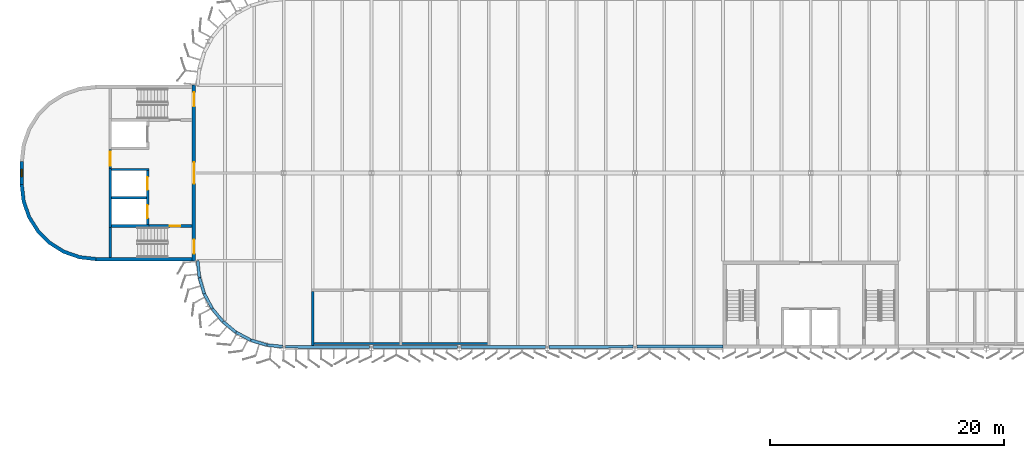
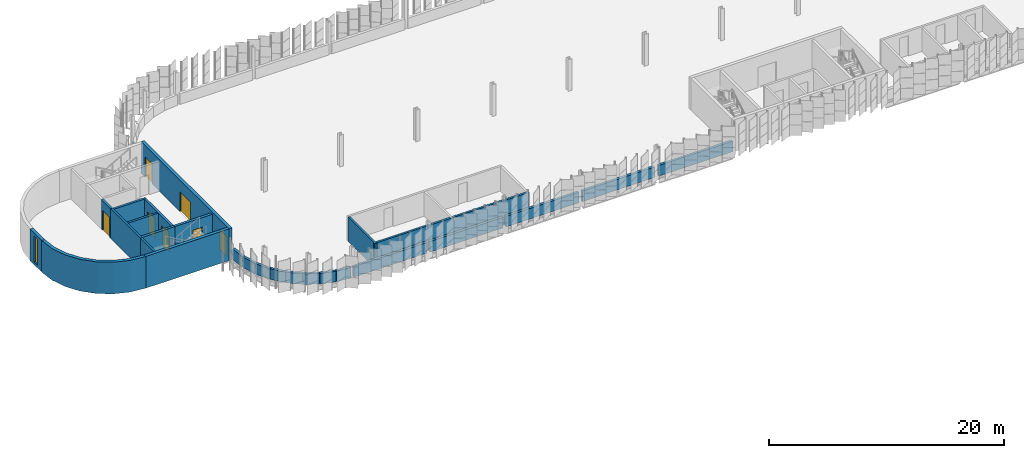
# One storey, part 68 of 214: 27 walls, 7 doors, 1 window, 8 openings.
"""IFC4 building model written with IfcOpenShell, lengths in metres."""

from ifc_helpers import new_model, si_unit, direction, frame, frame_2d, origin, place, context, subcontext, project, spatial, polyline, rectangle, outline, extrude, material, layer, layer_set, type_object, element, fill, save


model = new_model("IFC4")

# Units and contexts
model_context = context("Model", 3, precision=1e-05, world=origin(), true_north=direction((0.0, 1.0)))
body_context = subcontext(model_context, "Body", "Model", "MODEL_VIEW")
ifc_project = project(units=[si_unit("LENGTHUNIT", "METRE"), si_unit("AREAUNIT", "SQUARE_METRE"), si_unit("VOLUMEUNIT", "CUBIC_METRE"), si_unit("PLANEANGLEUNIT", "RADIAN"), si_unit("MASSUNIT", "GRAM", prefix="KILO")], contexts=[model_context])

# Site, building, storey
site_placement = place(None, origin())
site = spatial("IfcSite", under=ifc_project, at=site_placement, CompositionType="ELEMENT")
building_placement = place(site_placement, origin())
building = spatial("IfcBuilding", under=site, at=building_placement, Name="Parallax Yard Mobility Hub", CompositionType="ELEMENT")
storey_placement = place(building_placement, frame((0.0, 0.0, 3.300048828125)))
storey = spatial("IfcBuildingStorey", under=building, at=storey_placement, Name="L01", CompositionType="ELEMENT", Elevation=3.300048828125)

# Wall, openings, doors
ifc_material_1 = material(Name="Concrete fc' 35 MPa", Category="concrete")
ifc_layer_1 = layer(ifc_material_1, 0.300048828125)
ifc_layer_set_1 = layer_set([ifc_layer_1], Name="Concrete fc' 35 MPa core wall 300")
wall_type_1 = type_object("IfcWallType", Name="Concrete fc' 35 MPa core wall 300", PredefinedType="SHEAR", material=ifc_layer_set_1)
wall_1_placement = place(storey_placement, frame((22.35009765625, 135.0, 0.0), z_axis=(0.0, 0.0, 1.0), x_axis=(0.0, -1.0, 0.0)))
wall_1 = element("IfcWall", 1, at=wall_1_placement, inside=storey, type_object=wall_type_1, Name="Core C-W entry wall level L01", PredefinedType="SHEAR", context=body_context, shape_type="SweptSolid", body=[
    extrude(rectangle(XDim=15.0, YDim=0.300048828125, at=frame_2d((7.5, 0.0))), origin(), (0.0, 0.0, 1.0), 3.300048828125),
])
opening_1_placement = place(wall_1_placement, frame((13.179931640625, 0.0, 0.0)))
opening_1 = element("IfcOpeningElement", 2, at=opening_1_placement, cuts=wall_1, Name="Opening L01-D700", PredefinedType="OPENING", context=body_context, shape_type="SweptSolid", body=[
    extrude(rectangle(XDim=1.199951171875, YDim=2.10009765625, at=frame_2d((0.60009765625, 1.050048828125))), frame((0.0, 0.16015625, 0.0), z_axis=(0.0, -1.0, 0.0), x_axis=(1.0, 0.0, 0.0)), (0.0, 0.0, 1.0), 0.320068359375),
])
opening_2_placement = place(wall_1_placement, frame((0.6201171875, 0.0, 0.0)))
opening_2 = element("IfcOpeningElement", 3, at=opening_2_placement, cuts=wall_1, Name="Opening L01-D701", PredefinedType="OPENING", context=body_context, shape_type="SweptSolid", body=[
    extrude(rectangle(XDim=1.199951171875, YDim=2.10009765625, at=frame_2d((0.60009765625, 1.050048828125))), frame((0.0, 0.16015625, 0.0), z_axis=(0.0, -1.0, 0.0), x_axis=(1.0, 0.0, 0.0)), (0.0, 0.0, 1.0), 0.320068359375),
])
opening_3_placement = place(wall_1_placement, frame((6.60009765625, 0.0, 0.0)))
opening_3 = element("IfcOpeningElement", 4, at=opening_3_placement, cuts=wall_1, Name="Opening L01-D702", PredefinedType="OPENING", context=body_context, shape_type="SweptSolid", body=[
    extrude(rectangle(XDim=1.800048828125, YDim=2.10009765625, at=frame_2d((0.89990234375, 1.050048828125))), frame((0.0, 0.16015625, 0.0), z_axis=(0.0, -1.0, 0.0), x_axis=(1.0, 0.0, 0.0)), (0.0, 0.0, 1.0), 0.320068359375),
])
ifc_material_2 = material(Name="Hollow metal steel door and frame", Category="steel")
door_type_1 = type_object("IfcDoorType", Name="Core door 1200 x 2100 FD90", OperationType="NOTDEFINED", PredefinedType="DOOR", material=ifc_material_2)
door_1_placement = place(opening_1_placement, origin())
door_1 = element("IfcDoor", 5, at=door_1_placement, inside=storey, type_object=door_type_1, Name="Stair deck door L01-D700, core C-W level L01", OperationType="SINGLE_SWING_RIGHT", OverallHeight=2.10009765625, OverallWidth=1.199951171875, PredefinedType="DOOR", context=body_context, shape_type="SweptSolid", body=[
    extrude(rectangle(XDim=1.199951171875, YDim=2.10009765625, at=frame_2d((0.60009765625, 1.050048828125))), frame((0.0, 0.02490234375, 0.0), z_axis=(0.0, -1.0, 0.0), x_axis=(1.0, 0.0, 0.0)), (0.0, 0.0, 1.0), 0.050048828125),
])
fill(opening_1, door_1)
door_2_placement = place(opening_2_placement, origin())
door_2 = element("IfcDoor", 6, at=door_2_placement, inside=storey, type_object=door_type_1, Name="Stair deck door L01-D701, core C-W level L01", OperationType="SINGLE_SWING_LEFT", OverallHeight=2.10009765625, OverallWidth=1.199951171875, PredefinedType="DOOR", context=body_context, shape_type="SweptSolid", body=[
    extrude(rectangle(XDim=1.199951171875, YDim=2.10009765625, at=frame_2d((0.60009765625, 1.050048828125))), frame((0.0, 0.02490234375, 0.0), z_axis=(0.0, -1.0, 0.0), x_axis=(1.0, 0.0, 0.0)), (0.0, 0.0, 1.0), 0.050048828125),
])
fill(opening_2, door_2)
door_type_2 = type_object("IfcDoorType", Name="Core double door 1800 x 2100 FD90", OperationType="NOTDEFINED", PredefinedType="DOOR", material=ifc_material_2)
door_3_placement = place(opening_3_placement, origin())
door_3 = element("IfcDoor", 7, at=door_3_placement, inside=storey, type_object=door_type_2, Name="Lift lobby door L01-D702, core C-W level L01", OperationType="DOUBLE_DOOR_SINGLE_SWING", OverallHeight=2.10009765625, OverallWidth=1.800048828125, PredefinedType="DOOR", context=body_context, shape_type="SweptSolid", body=[
    extrude(rectangle(XDim=1.800048828125, YDim=2.10009765625, at=frame_2d((0.89990234375, 1.050048828125))), frame((0.0, 0.02490234375, 0.0), z_axis=(0.0, -1.0, 0.0), x_axis=(1.0, 0.0, 0.0)), (0.0, 0.0, 1.0), 0.050048828125),
])
fill(opening_3, door_3)

# Wall, opening, window
wall_2_placement = place(storey_placement, frame((7.64990234375, 126.5, 0.0), z_axis=(0.0, 0.0, 1.0), x_axis=(0.0, 1.0, 0.0)))
wall_2 = element("IfcWall", 8, at=wall_2_placement, inside=storey, type_object=wall_type_1, Name="Core C-W back wall level L01", PredefinedType="SHEAR", context=body_context, shape_type="SweptSolid", body=[
    extrude(rectangle(XDim=2.0, YDim=0.300048828125, at=frame_2d((1.0, 0.0))), origin(), (0.0, 0.0, 1.0), 3.300048828125),
])
opening_4_placement = place(wall_2_placement, frame((0.699951171875, 0.0, 0.300048828125)))
opening_4 = element("IfcOpeningElement", 9, at=opening_4_placement, cuts=wall_2, Name="Opening CW-S1", PredefinedType="OPENING", context=body_context, shape_type="SweptSolid", body=[
    extrude(rectangle(XDim=0.60009765625, YDim=2.699951171875, at=frame_2d((0.300048828125, 1.35009765625))), frame((0.0, 0.16015625, 0.0), z_axis=(0.0, -1.0, 0.0), x_axis=(1.0, 0.0, 0.0)), (0.0, 0.0, 1.0), 0.320068359375),
])
ifc_material_3 = material(Name="Fire-resisting glazing in a steel frame", Category="steel")
window_type = type_object("IfcWindowType", Name="Core slot window 600 x 2700", PartitioningType="SINGLE_PANEL", PredefinedType="WINDOW", material=ifc_material_3)
window_placement = place(opening_4_placement, origin())
window = element("IfcWindow", 10, at=window_placement, inside=storey, type_object=window_type, Name="Glazed slot 1, core C-W level L01", OverallHeight=2.699951171875, OverallWidth=0.60009765625, PartitioningType="SINGLE_PANEL", PredefinedType="WINDOW", context=body_context, shape_type="SweptSolid", body=[
    extrude(rectangle(XDim=0.60009765625, YDim=2.699951171875, at=frame_2d((0.300048828125, 1.35009765625))), frame((0.0, 0.030029296875, 0.0), z_axis=(0.0, -1.0, 0.0), x_axis=(1.0, 0.0, 0.0)), (0.0, 0.0, 1.0), 0.06005859375),
])
fill(opening_4, window)

# Walls
wall_3_placement = place(storey_placement, frame((22.199951171875, 120.14990234375, 0.0), z_axis=(0.0, 0.0, 1.0), x_axis=(-1.0, 0.0, 0.0)))
element("IfcWall", 11, at=wall_3_placement, inside=storey, type_object=wall_type_1, Name="Core C-W west-side end wall level L01", PredefinedType="SHEAR", context=body_context, shape_type="SweptSolid", body=[
    extrude(rectangle(XDim=8.199951171875, YDim=0.300048828125, at=frame_2d((4.10009765625, 0.0))), origin(), (0.0, 0.0, 1.0), 3.300048828125),
])
wall_4_placement = place(storey_placement, origin())
element("IfcWall", 12, at=wall_4_placement, inside=storey, type_object=wall_type_1, Name="Core C-W rounded corner west level L01", PredefinedType="SHEAR", context=body_context, shape_type="SweptSolid", body=[
    extrude(outline(polyline([(14.0, 120.0), (12.5537109375, 120.1630859375), (11.1796875, 120.643798828125), (9.947265625, 121.418212890625), (8.918212890625, 122.447265625), (8.143798828125, 123.6796875), (7.6630859375, 125.0537109375), (7.5, 126.5), (7.800048828125, 126.5), (7.955322265625, 125.120361328125), (8.4140625, 123.809814453125), (9.152587890625, 122.634521484375), (10.134521484375, 121.652587890625), (11.309814453125, 120.9140625), (12.620361328125, 120.455322265625), (14.0, 120.300048828125), (14.0, 120.0)])), origin(), (0.0, 0.0, 1.0), 3.300048828125),
])

# Wall, openings, doors
ifc_layer_2 = layer(ifc_material_1, 0.199951171875)
ifc_layer_set_2 = layer_set([ifc_layer_2], Name="Concrete fc' 35 MPa internal core wall 200")
wall_type_2 = type_object("IfcWallType", Name="Concrete fc' 35 MPa internal core wall 200", PredefinedType="STANDARD", material=ifc_layer_set_2)
wall_5_placement = place(storey_placement, frame((18.39990234375, 123.10009765625, 0.0), z_axis=(0.0, 0.0, 1.0), x_axis=(0.0, 1.0, 0.0)))
wall_5 = element("IfcWall", 13, at=wall_5_placement, inside=storey, type_object=wall_type_2, Name="Core C-W lift front 1 part 1 level L01", PredefinedType="STANDARD", context=body_context, shape_type="SweptSolid", body=[
    extrude(rectangle(XDim=4.599853515625, YDim=0.199951171875, at=frame_2d((2.2998046875, 0.0))), origin(), (0.0, 0.0, 1.0), 3.099853515625),
])
opening_5_placement = place(wall_5_placement, frame((0.550048828125, 0.0, 0.0)))
opening_5 = element("IfcOpeningElement", 14, at=opening_5_placement, cuts=wall_5, Name="Opening L01-D705", PredefinedType="OPENING", context=body_context, shape_type="SweptSolid", body=[
    extrude(rectangle(XDim=1.10009765625, YDim=2.10009765625, at=frame_2d((0.550048828125, 1.050048828125))), frame((0.0, 0.10986328125, 0.0), z_axis=(0.0, -1.0, 0.0), x_axis=(1.0, 0.0, 0.0)), (0.0, 0.0, 1.0), 0.219970703125),
])
opening_6_placement = place(wall_5_placement, frame((2.949951171875, 0.0, 0.0)))
opening_6 = element("IfcOpeningElement", 15, at=opening_6_placement, cuts=wall_5, Name="Opening L01-D706", PredefinedType="OPENING", context=body_context, shape_type="SweptSolid", body=[
    extrude(rectangle(XDim=1.10009765625, YDim=2.10009765625, at=frame_2d((0.550048828125, 1.050048828125))), frame((0.0, 0.10986328125, 0.0), z_axis=(0.0, -1.0, 0.0), x_axis=(1.0, 0.0, 0.0)), (0.0, 0.0, 1.0), 0.219970703125),
])
ifc_material_4 = material(Name="Stainless steel sliding door and frame", Category="steel")
door_type_3 = type_object("IfcDoorType", Name="Lift landing door 1100 x 2100 FD90", OperationType="DOUBLE_DOOR_SLIDING", PredefinedType="DOOR", material=ifc_material_4)
door_4_placement = place(opening_5_placement, origin())
door_4 = element("IfcDoor", 16, at=door_4_placement, inside=storey, type_object=door_type_3, Name="Lift landing door L01-D705, core C-W level L01", OperationType="DOUBLE_DOOR_SLIDING", OverallHeight=2.10009765625, OverallWidth=1.10009765625, PredefinedType="DOOR", context=body_context, shape_type="SweptSolid", body=[
    extrude(rectangle(XDim=1.10009765625, YDim=2.10009765625, at=frame_2d((0.550048828125, 1.050048828125))), frame((0.0, 0.02490234375, 0.0), z_axis=(0.0, -1.0, 0.0), x_axis=(1.0, 0.0, 0.0)), (0.0, 0.0, 1.0), 0.050048828125),
])
fill(opening_5, door_4)
door_5_placement = place(opening_6_placement, origin())
door_5 = element("IfcDoor", 17, at=door_5_placement, inside=storey, type_object=door_type_3, Name="Lift landing door L01-D706, core C-W level L01", OperationType="DOUBLE_DOOR_SLIDING", OverallHeight=2.10009765625, OverallWidth=1.10009765625, PredefinedType="DOOR", context=body_context, shape_type="SweptSolid", body=[
    extrude(rectangle(XDim=1.10009765625, YDim=2.10009765625, at=frame_2d((0.550048828125, 1.050048828125))), frame((0.0, 0.02490234375, 0.0), z_axis=(0.0, -1.0, 0.0), x_axis=(1.0, 0.0, 0.0)), (0.0, 0.0, 1.0), 0.050048828125),
])
fill(opening_6, door_5)

# Walls
wall_6_placement = place(storey_placement, frame((18.300048828125, 125.39990234375, 0.0), z_axis=(0.0, 0.0, 1.0), x_axis=(-1.0, 0.0, 0.0)))
element("IfcWall", 18, at=wall_6_placement, inside=storey, type_object=wall_type_2, Name="Core C-W lift wall 1 part 1 level L01", PredefinedType="STANDARD", context=body_context, shape_type="SweptSolid", body=[
    extrude(rectangle(XDim=3.0, YDim=0.199951171875, at=frame_2d((1.5, 0.0))), origin(), (0.0, 0.0, 1.0), 3.099853515625),
])
wall_7_placement = place(storey_placement, frame((18.5, 127.800048828125, 0.0), z_axis=(0.0, 0.0, 1.0), x_axis=(-1.0, 0.0, 0.0)))
element("IfcWall", 19, at=wall_7_placement, inside=storey, type_object=wall_type_2, Name="Core C-W lift wall 2 part 2 level L01", PredefinedType="STANDARD", context=body_context, shape_type="SweptSolid", body=[
    extrude(rectangle(XDim=3.199951171875, YDim=0.199951171875, at=frame_2d((1.60009765625, 0.0))), origin(), (0.0, 0.0, 1.0), 3.099853515625),
])
wall_8_placement = place(storey_placement, frame((15.199951171875, 120.300048828125, 0.0), z_axis=(0.0, 0.0, 1.0), x_axis=(0.0, 1.0, 0.0)))
element("IfcWall", 20, at=wall_8_placement, inside=storey, type_object=wall_type_2, Name="Core C-W plant wall 1 part 1 level L01", PredefinedType="STANDARD", context=body_context, shape_type="SweptSolid", body=[
    extrude(rectangle(XDim=2.550048828125, YDim=0.199951171875, at=frame_2d((1.27490234375, 0.0))), origin(), (0.0, 0.0, 1.0), 3.099853515625),
])
wall_9_placement = place(storey_placement, frame((15.199951171875, 122.85009765625, 0.0), z_axis=(0.0, 0.0, 1.0), x_axis=(0.0, 1.0, 0.0)))
element("IfcWall", 21, at=wall_9_placement, inside=storey, type_object=wall_type_2, Name="Core C-W plant wall 2 part 2 level L01", PredefinedType="STANDARD", context=body_context, shape_type="SweptSolid", body=[
    extrude(rectangle(XDim=5.0498046875, YDim=0.199951171875, at=frame_2d((2.52490234375, 0.0))), origin(), (0.0, 0.0, 1.0), 3.099853515625),
])

# Wall, opening, door
wall_10_placement = place(storey_placement, frame((15.199951171875, 127.89990234375, 0.0), z_axis=(0.0, 0.0, 1.0), x_axis=(0.0, 1.0, 0.0)))
wall_10 = element("IfcWall", 22, at=wall_10_placement, inside=storey, type_object=wall_type_2, Name="Core C-W plant wall 3 part 3 level L01", PredefinedType="STANDARD", context=body_context, shape_type="SweptSolid", body=[
    extrude(rectangle(XDim=1.60009765625, YDim=0.199951171875, at=frame_2d((0.800048828125, 0.0))), origin(), (0.0, 0.0, 1.0), 3.099853515625),
])
opening_7_placement = place(wall_10_placement, frame((0.199951171875, 0.0, 0.0)))
opening_7 = element("IfcOpeningElement", 23, at=opening_7_placement, cuts=wall_10, Name="Opening L01-D708", PredefinedType="OPENING", context=body_context, shape_type="SweptSolid", body=[
    extrude(rectangle(XDim=1.199951171875, YDim=2.10009765625, at=frame_2d((0.60009765625, 1.050048828125))), frame((0.0, 0.10986328125, 0.0), z_axis=(0.0, -1.0, 0.0), x_axis=(1.0, 0.0, 0.0)), (0.0, 0.0, 1.0), 0.219970703125),
])
door_6_placement = place(opening_7_placement, origin())
door_6 = element("IfcDoor", 24, at=door_6_placement, inside=storey, type_object=door_type_1, Name="Plant room door L01-D708, core C-W level L01", OperationType="SINGLE_SWING_RIGHT", OverallHeight=2.10009765625, OverallWidth=1.199951171875, PredefinedType="DOOR", context=body_context, shape_type="SweptSolid", body=[
    extrude(rectangle(XDim=1.199951171875, YDim=2.10009765625, at=frame_2d((0.60009765625, 1.050048828125))), frame((0.0, 0.02490234375, 0.0), z_axis=(0.0, -1.0, 0.0), x_axis=(1.0, 0.0, 0.0)), (0.0, 0.0, 1.0), 0.050048828125),
])
fill(opening_7, door_6)

ifc_layer_3 = layer(ifc_material_1, 0.25)
ifc_layer_set_3 = layer_set([ifc_layer_3], Name="Concrete fc' 35 MPa stair enclosure wall 250")
wall_type_3 = type_object("IfcWallType", Name="Concrete fc' 35 MPa stair enclosure wall 250", PredefinedType="STANDARD", material=ifc_layer_set_3)
wall_11_placement = place(storey_placement, frame((22.199951171875, 122.97509765625, 0.0), z_axis=(0.0, 0.0, 1.0), x_axis=(-1.0, 0.0, 0.0)))
wall_11 = element("IfcWall", 25, at=wall_11_placement, inside=storey, type_object=wall_type_3, Name="Core C-W stair 1 partition 1 part 1 level L01", PredefinedType="STANDARD", context=body_context, shape_type="SweptSolid", body=[
    extrude(rectangle(XDim=3.699951171875, YDim=0.25, at=frame_2d((1.85009765625, 0.0))), origin(), (0.0, 0.0, 1.0), 3.099853515625),
])
opening_8_placement = place(wall_11_placement, frame((1.0, 0.0, 0.0)))
opening_8 = element("IfcOpeningElement", 26, at=opening_8_placement, cuts=wall_11, Name="Opening L01-D703", PredefinedType="OPENING", context=body_context, shape_type="SweptSolid", body=[
    extrude(rectangle(XDim=0.89990234375, YDim=2.10009765625, at=frame_2d((0.449951171875, 1.050048828125))), frame((0.0, 0.135009765625, 0.0), z_axis=(0.0, -1.0, 0.0), x_axis=(1.0, 0.0, 0.0)), (0.0, 0.0, 1.0), 0.27001953125),
])
door_type_4 = type_object("IfcDoorType", Name="Core door 900 x 2100 FD90", OperationType="NOTDEFINED", PredefinedType="DOOR", material=ifc_material_2)
door_7_placement = place(opening_8_placement, origin())
door_7 = element("IfcDoor", 27, at=door_7_placement, inside=storey, type_object=door_type_4, Name="Stair lobby door L01-D703, core C-W level L01", OperationType="SINGLE_SWING_LEFT", OverallHeight=2.10009765625, OverallWidth=0.89990234375, PredefinedType="DOOR", context=body_context, shape_type="SweptSolid", body=[
    extrude(rectangle(XDim=0.89990234375, YDim=2.10009765625, at=frame_2d((0.449951171875, 1.050048828125))), frame((0.0, 0.02490234375, 0.0), z_axis=(0.0, -1.0, 0.0), x_axis=(1.0, 0.0, 0.0)), (0.0, 0.0, 1.0), 0.050048828125),
])
fill(opening_8, door_7)

# Walls
wall_12_placement = place(storey_placement, frame((18.5, 122.97509765625, 0.0), z_axis=(0.0, 0.0, 1.0), x_axis=(-1.0, 0.0, 0.0)))
element("IfcWall", 28, at=wall_12_placement, inside=storey, type_object=wall_type_3, Name="Core C-W stair 1 partition 2 part 2 level L01", PredefinedType="STANDARD", context=body_context, shape_type="SweptSolid", body=[
    extrude(rectangle(XDim=3.199951171875, YDim=0.25, at=frame_2d((1.60009765625, 0.0))), origin(), (0.0, 0.0, 1.0), 3.099853515625),
])
ifc_layer_4 = layer(ifc_material_1, 0.25)
ifc_layer_set_4 = layer_set([ifc_layer_4], Name="Deck-edge barrier wall, Concrete fc' 35 MPa precast, 250")
wall_type_4 = type_object("IfcWallType", Name="Deck-edge barrier wall, Concrete fc' 35 MPa precast, 250", PredefinedType="SOLIDWALL", material=ifc_layer_set_4)
wall_13_placement = place(storey_placement, frame((30.18310546875, 112.6689453125, 0.0), z_axis=(0.0, 0.0, 1.0), x_axis=(0.999995504833, -0.002998385104, 0.0)))
element("IfcWall", 29, at=wall_13_placement, inside=storey, type_object=wall_type_4, Name="Deck-edge barrier wall bay 1 level L01", PredefinedType="SOLIDWALL", context=body_context, shape_type="SweptSolid", body=[
    extrude(rectangle(XDim=7.165283203125, YDim=0.25, at=frame_2d((3.58251953125, 0.0))), origin(), (0.0, 0.0, 1.0), 1.099853515625),
])
for number, where, z_axis, x_axis, name in (
    (30, (37.651611328125, 112.6474609375, 0.0), (0.0, 0.0, 1.0), (1.0, 0.0, 0.0), "Deck-edge barrier wall bay 2 level L01"),
    (31, (45.151611328125, 112.6474609375, 0.0), (0.0, 0.0, 1.0), (1.0, 0.0, 0.0), "Deck-edge barrier wall bay 3 level L01"),
):
    element("IfcWall", number, at=place(storey_placement, frame(where, z_axis=z_axis, x_axis=x_axis)), inside=storey, type_object=wall_type_4, Name=name, PredefinedType="SOLIDWALL", context=body_context, shape_type="SweptSolid", body=[
        extrude(rectangle(XDim=7.19677734375, YDim=0.25, at=frame_2d((3.598388671875, 0.0))), origin(), (0.0, 0.0, 1.0), 1.099853515625),
    ])
wall_14_placement = place(storey_placement, frame((52.651611328125, 112.6474609375, 0.0), z_axis=(0.0, 0.0, 1.0), x_axis=(0.999993473402, 0.003612914829, 0.0)))
element("IfcWall", 32, at=wall_14_placement, inside=storey, type_object=wall_type_4, Name="Deck-edge barrier wall bay 4 level L01", PredefinedType="SOLIDWALL", context=body_context, shape_type="SweptSolid", body=[
    extrude(rectangle(XDim=7.162841796875, YDim=0.25, at=frame_2d((3.58154296875, 0.0))), origin(), (0.0, 0.0, 1.0), 1.099853515625),
])
wall_15_placement = place(storey_placement, frame((60.185546875, 112.67333984375, 0.0), z_axis=(0.0, 0.0, 1.0), x_axis=(1.0, 0.0, 0.0)))
element("IfcWall", 33, at=wall_15_placement, inside=storey, type_object=wall_type_4, Name="Deck-edge barrier wall bay 5 level L01", PredefinedType="SOLIDWALL", context=body_context, shape_type="SweptSolid", body=[
    extrude(rectangle(XDim=7.3095703125, YDim=0.25, at=frame_2d((3.65478515625, 0.0))), origin(), (0.0, 0.0, 1.0), 1.099853515625),
])
wall_16_placement = place(storey_placement, frame((22.668701171875, 120.011474609375, 0.0), z_axis=(0.0, 0.0, 1.0), x_axis=(0.098664443357, -0.995120760319, 0.0)))
element("IfcWall", 34, at=wall_16_placement, inside=storey, type_object=wall_type_4, Name="Deck-edge barrier wall bay 72-1 level L01", PredefinedType="SOLIDWALL", context=body_context, shape_type="SweptSolid", body=[
    extrude(rectangle(XDim=1.440185546875, YDim=0.25, at=frame_2d((0.72021484375, 0.0))), origin(), (0.0, 0.0, 1.0), 1.099853515625),
])
wall_17_placement = place(storey_placement, frame((22.815673828125, 118.5537109375, 0.0), z_axis=(0.0, 0.0, 1.0), x_axis=(0.290679627319, -0.956820439927, 0.0)))
element("IfcWall", 35, at=wall_17_placement, inside=storey, type_object=wall_type_4, Name="Deck-edge barrier wall bay 72-2 level L01", PredefinedType="SOLIDWALL", context=body_context, shape_type="SweptSolid", body=[
    extrude(rectangle(XDim=1.4111328125, YDim=0.25, at=frame_2d((0.70556640625, 0.0))), origin(), (0.0, 0.0, 1.0), 1.099853515625),
])
for number, where, z_axis, x_axis, name in (
    (36, (23.235595703125, 117.180419921875, 0.0), (0.0, 0.0, 1.0), (0.471683538305, -0.881767905796, 0.0), "Deck-edge barrier wall bay 72-3 level L01"),
    (37, (23.915283203125, 115.915283203125, 0.0), (0.0, 0.0, 1.0), (0.634687762211, -0.772768687577, 0.0), "Deck-edge barrier wall bay 72-4 level L01"),
    (38, (24.82861328125, 114.80712890625, 0.0), (0.0, 0.0, 1.0), (0.773162570817, -0.634207883179, 0.0), "Deck-edge barrier wall bay 72-5 level L01"),
    (39, (25.9404296875, 113.898193359375, 0.0), (0.0, 0.0, 1.0), (0.882022197163, -0.471207856165, 0.0), "Deck-edge barrier wall bay 72-6 level L01"),
):
    element("IfcWall", number, at=place(storey_placement, frame(where, z_axis=z_axis, x_axis=x_axis)), inside=storey, type_object=wall_type_4, Name=name, PredefinedType="SOLIDWALL", context=body_context, shape_type="SweptSolid", body=[
        extrude(rectangle(XDim=1.410888671875, YDim=0.25, at=frame_2d((0.70556640625, 0.0))), origin(), (0.0, 0.0, 1.0), 1.099853515625),
    ])
wall_18_placement = place(storey_placement, frame((27.208251953125, 113.2236328125, 0.0), z_axis=(0.0, 0.0, 1.0), x_axis=(0.956979282244, -0.290156256793, 0.0)))
element("IfcWall", 40, at=wall_18_placement, inside=storey, type_object=wall_type_4, Name="Deck-edge barrier wall bay 72-7 level L01", PredefinedType="SOLIDWALL", context=body_context, shape_type="SweptSolid", body=[
    extrude(rectangle(XDim=1.4111328125, YDim=0.25, at=frame_2d((0.70556640625, 0.0))), origin(), (0.0, 0.0, 1.0), 1.099853515625),
])
wall_19_placement = place(storey_placement, frame((28.583251953125, 112.809326171875, 0.0), z_axis=(0.0, 0.0, 1.0), x_axis=(0.995192758303, -0.097935559533, 0.0)))
element("IfcWall", 41, at=wall_19_placement, inside=storey, type_object=wall_type_4, Name="Deck-edge barrier wall bay 72-8 level L01", PredefinedType="SOLIDWALL", context=body_context, shape_type="SweptSolid", body=[
    extrude(rectangle(XDim=1.341064453125, YDim=0.25, at=frame_2d((0.67041015625, 0.0))), origin(), (0.0, 0.0, 1.0), 1.099853515625),
])
ifc_material_5 = material(Name="Fire-rated plasterboard partition, two layers each side")
ifc_layer_5 = layer(ifc_material_5, 0.199951171875)
ifc_layer_set_5 = layer_set([ifc_layer_5], Name="Fire-rated partition 200 mm")
wall_type_5 = type_object("IfcWallType", Name="Fire-rated partition 200 mm", PredefinedType="PARTITIONING", material=ifc_layer_set_5)
wall_20_placement = place(storey_placement, frame((32.39990234375, 112.949951171875, 0.0), z_axis=(0.0, 0.0, 1.0), x_axis=(1.0, 0.0, 0.0)))
element("IfcWall", 42, at=wall_20_placement, inside=storey, type_object=wall_type_5, Name="Partition 35 level L01", PredefinedType="PARTITIONING", context=body_context, shape_type="SweptSolid", body=[
    extrude(rectangle(XDim=15.2001953125, YDim=0.199951171875, at=frame_2d((7.60009765625, 0.0))), origin(), (0.0, 0.0, 1.0), 2.5478515625),
])
wall_21_placement = place(storey_placement, frame((32.5, 112.787109375, 0.0), z_axis=(0.0, 0.0, 1.0), x_axis=(0.0, 1.0, 0.0)))
element("IfcWall", 43, at=wall_21_placement, inside=storey, type_object=wall_type_5, Name="Partition 41 level L01", PredefinedType="PARTITIONING", context=body_context, shape_type="SweptSolid", body=[
    extrude(rectangle(XDim=4.61279296875, YDim=0.199951171875, at=frame_2d((2.306396484375, 0.0))), origin(), (0.0, 0.0, 1.0), 2.557861328125),
])

save(model, "model.ifc")
